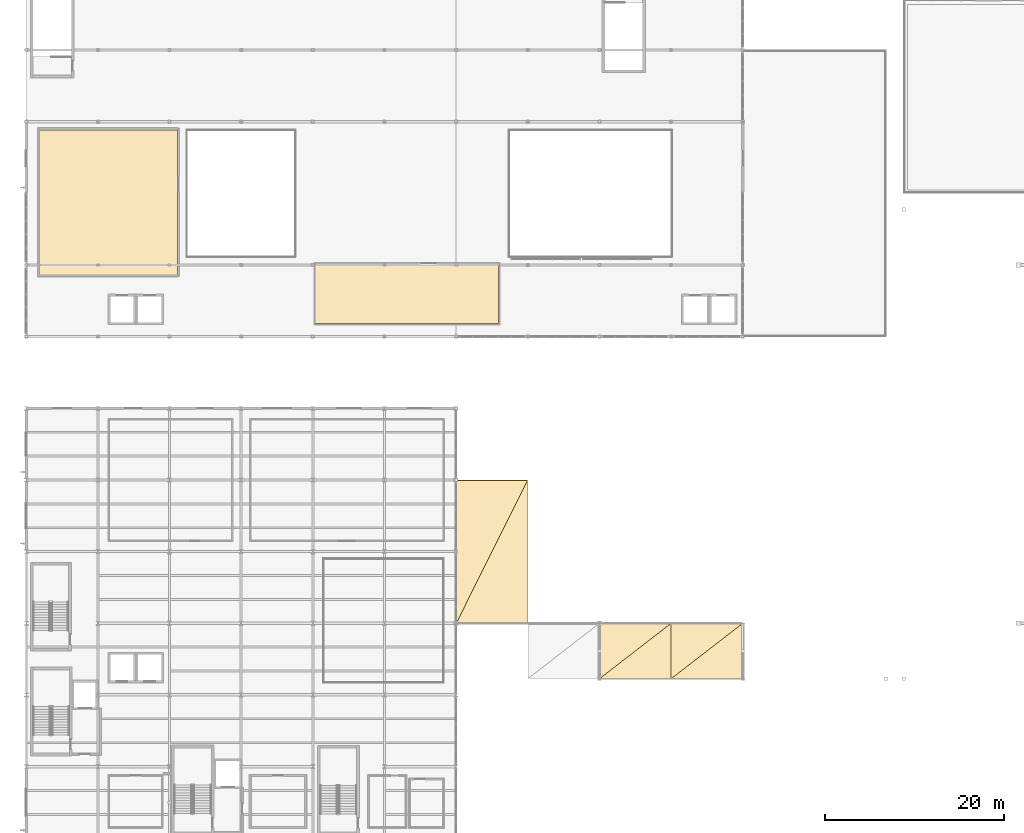
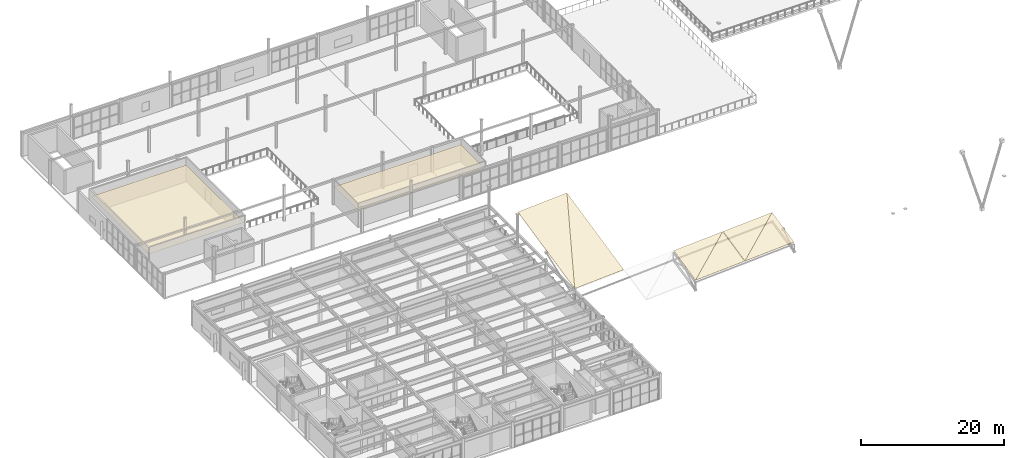
# One storey, part 80 of 83: 8 coverings, 1 element without a shape of its own.
"""IFC4 building model written with IfcOpenShell, lengths in metres."""

from ifc_helpers import new_model, si_unit, direction, frame, origin, place, context, subcontext, project, spatial, polyline, outline, extrude, material, layer, layer_set, type_object, element, aggregate, save


model = new_model("IFC4")

# Units and contexts
model_context = context("Model", 3, precision=1e-05, world=origin(), true_north=direction((0.0, 1.0)))
body_context = subcontext(model_context, "Body", "Model", "MODEL_VIEW")
ifc_project = project(units=[si_unit("LENGTHUNIT", "METRE"), si_unit("AREAUNIT", "SQUARE_METRE"), si_unit("VOLUMEUNIT", "CUBIC_METRE"), si_unit("PLANEANGLEUNIT", "RADIAN"), si_unit("MASSUNIT", "GRAM", prefix="KILO")], contexts=[model_context])

# Site, building, storey
site_placement = place(None, origin())
site = spatial("IfcSite", under=ifc_project, at=site_placement, CompositionType="ELEMENT")
building_placement = place(site_placement, origin())
building = spatial("IfcBuilding", under=site, at=building_placement, Name="Drelvath Fold Interchange", CompositionType="ELEMENT")
storey_placement = place(building_placement, frame((0.0, 0.0, 11.199951171875)))
storey = spatial("IfcBuildingStorey", under=building, at=storey_placement, Name="L02", CompositionType="ELEMENT", Elevation=11.199951171875)

# Coverings
ifc_material_1 = material(Name="Perforated Aluminium Acoustic Ceiling", Category="aluminium")
ifc_layer_1 = layer(ifc_material_1, 0.01806640625, Name="Perforated Aluminium Acoustic Ceiling")
ifc_layer_set_1 = layer_set([ifc_layer_1], Name="Perforated Aluminium Acoustic Ceiling")
covering_type_1 = type_object("IfcCoveringType", Name="CV-CEIL-AL18", PredefinedType="CEILING", material=ifc_layer_set_1)
covering_1_placement = place(storey_placement, frame((0.0, 0.0, 2.830078125)))
element("IfcCovering", 1, at=covering_1_placement, inside=storey, type_object=covering_type_1, Name="Acoustic Concourse Viewing Gallery acoustic ceiling", PredefinedType="CEILING", context=body_context, shape_type="SweptSolid", body=[
    extrude(outline(polyline([(36.2548828125, 60.455078125), (56.7451171875, 60.455078125), (56.7451171875, 67.14501953125), (36.2548828125, 67.14501953125), (36.2548828125, 60.455078125)])), origin(), (0.0, 0.0, 1.0), 0.02001953125),
])
covering_2_placement = place(storey_placement, frame((0.0, 0.0, 2.830078125)))
element("IfcCovering", 2, at=covering_2_placement, inside=storey, type_object=covering_type_1, Name="Concourse Smoke Exhaust Plant Room acoustic ceiling", PredefinedType="CEILING", context=body_context, shape_type="SweptSolid", body=[
    extrude(outline(polyline([(5.4951171875, 65.89501953125), (20.905029296875, 65.89501953125), (20.905029296875, 82.10498046875), (5.4951171875, 82.10498046875), (5.4951171875, 65.89501953125)])), origin(), (0.0, 0.0, 1.0), 0.02001953125),
])

# Roof, coverings
ifc_material_2 = material(Name="Standing-Seam Acoustic Roof Assembly")
ifc_layer_2 = layer(ifc_material_2, 0.054931640625, Name="Standing-Seam Acoustic Roof Assembly")
ifc_layer_set_2 = layer_set([ifc_layer_2], Name="Standing-Seam Acoustic Roof Assembly")
roof_type = type_object("IfcRoofType", Name="ROOF-SF", PredefinedType="FREEFORM", material=ifc_layer_set_2)
roof_placement = place(storey_placement, origin())
roof = element("IfcRoof", 3, at=roof_placement, inside=storey, type_object=roof_type, Name="Roof assembly RF-ASM-SF-L02", PredefinedType="FREEFORM")
ifc_layer_3 = layer(ifc_material_2, 0.054931640625, Name="Standing-Seam Acoustic Roof Assembly")
ifc_layer_set_3 = layer_set([ifc_layer_3], Name="Standing-Seam Acoustic Roof Assembly")
covering_type_2 = type_object("IfcCoveringType", Name="CV-ROOF-SEAM", PredefinedType="ROOFING", material=ifc_layer_set_3)
covering_3_placement = place(storey_placement, frame((52.030029296875, 27.030029296875, 4.173095703125), z_axis=(-0.05872238266, -0.212626802128, 0.975367379397), x_axis=(0.998192566997, 0.0, 0.060096582196)))
covering_3 = element("IfcCovering", 4, at=covering_3_placement, type_object=covering_type_2, Name="Standing-seam roof covering SL-RF-SF001", PredefinedType="ROOFING", context=body_context, shape_type="SweptSolid", body=[
    extrude(outline(polyline([(0.0, 0.0), (7.954318303667255, 0.0), (8.163145123588297, 16.312962034805828), (0.0, 0.0)])), origin(), (0.0, 0.0, -1.0), 0.054931640625),
])
covering_4_placement = place(storey_placement, frame((52.030029296875, 27.030029296875, 4.173095703125), z_axis=(-0.05872238266, -0.212626802128, 0.975367379397), x_axis=(0.435269745672, 0.873831919775, 0.216698002957)))
covering_4 = element("IfcCovering", 5, at=covering_4_placement, type_object=covering_type_2, Name="Standing-seam roof covering SL-RF-SF002", PredefinedType="ROOFING", context=body_context, shape_type="SweptSolid", body=[
    extrude(outline(polyline([(0.0, 0.0), (18.24142726482168, -2.7755575615628914e-17), (14.681823417524525, 7.1133958224158444), (0.0, 0.0)])), origin(), (0.0, 0.0, -1.0), 0.054931640625),
])
covering_5_placement = place(storey_placement, frame((68.030029296875, 20.830078125, 3.783935546875), z_axis=(-0.058601572976, -0.212724675863, 0.975353304154), x_axis=(0.99819992436, 0.0, 0.059974252881)))
covering_5 = element("IfcCovering", 6, at=covering_5_placement, type_object=covering_type_2, Name="Standing-seam roof covering SL-RF-SF015", PredefinedType="ROOFING", context=body_context, shape_type="SweptSolid", body=[
    extrude(outline(polyline([(0.0, 0.0), (7.954259675329594, -1.3877787807814457e-17), (8.034571876758482, 6.283713071928795), (0.0, 0.0)])), origin(), (0.0, 0.0, -1.0), 0.054931640625),
])
covering_6_placement = place(storey_placement, frame((68.030029296875, 20.830078125, 3.783935546875), z_axis=(-0.058723059207, -0.212575060567, 0.975378616714), x_axis=(0.778427890576, 0.60195200234, 0.178055626284)))
covering_6 = element("IfcCovering", 7, at=covering_6_placement, type_object=covering_type_2, Name="Standing-seam roof covering SL-RF-SF016", PredefinedType="ROOFING", context=body_context, shape_type="SweptSolid", body=[
    extrude(outline(polyline([(0.0, 0.0), (10.199970353541579, 2.7755575615628914e-17), (3.9341830553014074, 4.900111142542382), (0.0, 0.0)])), origin(), (0.0, 0.0, -1.0), 0.054931640625),
])
covering_7_placement = place(storey_placement, frame((76.030029296875, 20.830078125, 4.26513671875), z_axis=(-0.058571685319, -0.212725049631, 0.975355017898), x_axis=(0.998201761375, 0.0, 0.05994367013)))
covering_7 = element("IfcCovering", 8, at=covering_7_placement, type_object=covering_type_2, Name="Standing-seam roof covering SL-RF-SF023", PredefinedType="ROOFING", context=body_context, shape_type="SweptSolid", body=[
    extrude(outline(polyline([(0.0, 0.0), (7.954245036911256, 1.3877787807814457e-17), (8.034516284631593, 6.283713595225087), (0.0, 0.0)])), origin(), (0.0, 0.0, -1.0), 0.054931640625),
])
covering_8_placement = place(storey_placement, frame((76.030029296875, 20.830078125, 4.26513671875), z_axis=(-0.058602056406, -0.212687647419, 0.97536135028), x_axis=(0.778431207908, 0.601954567606, 0.178032449555)))
covering_8 = element("IfcCovering", 9, at=covering_8_placement, type_object=covering_type_2, Name="Standing-seam roof covering SL-RF-SF024", PredefinedType="ROOFING", context=body_context, shape_type="SweptSolid", body=[
    extrude(outline(polyline([(0.0, 0.0), (10.19992688575888, -9.43689570931383e-16), (3.9342981870286056, 4.900218769832837), (0.0, 0.0)])), origin(), (0.0, 0.0, -1.0), 0.054931640625),
])
aggregate(roof, [covering_3, covering_4, covering_5, covering_6, covering_7, covering_8])

save(model, "model.ifc")
